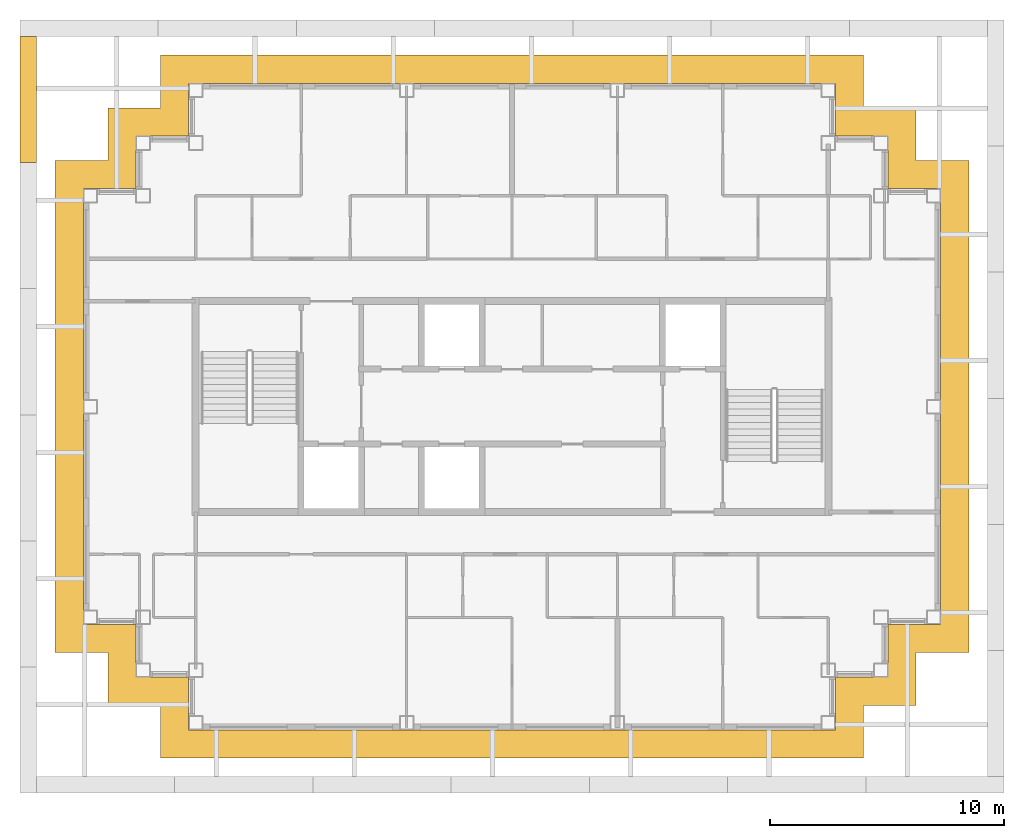
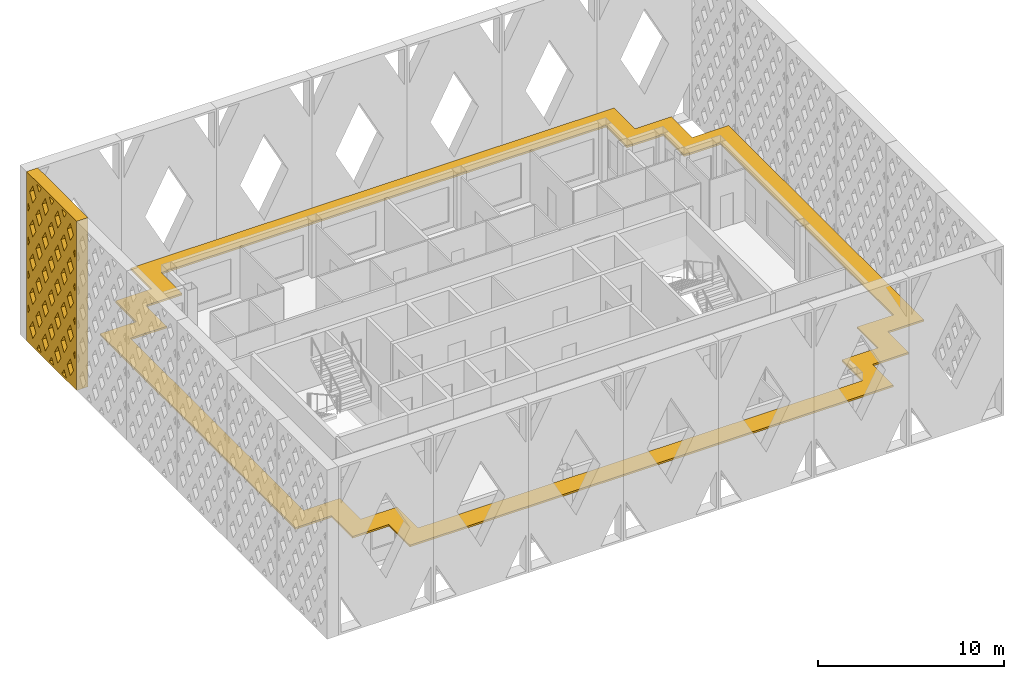
# One storey, part 11 of 13: 2 shading devices.
"""IFC4 building model written with IfcOpenShell, lengths in metres."""

from ifc_helpers import new_model, si_unit, direction, frame, origin, place, context, subcontext, project, spatial, polyline, outline, extrude, material, layer, layer_set, type_object, element, save


model = new_model("IFC4")

# Units and contexts
model_context = context("Model", 3, precision=1e-05, world=origin(), true_north=direction((0.0, 1.0)))
body_context = subcontext(model_context, "Body", "Model", "MODEL_VIEW")
ifc_project = project(units=[si_unit("LENGTHUNIT", "METRE"), si_unit("AREAUNIT", "SQUARE_METRE"), si_unit("VOLUMEUNIT", "CUBIC_METRE"), si_unit("PLANEANGLEUNIT", "RADIAN"), si_unit("MASSUNIT", "GRAM", prefix="KILO")], contexts=[model_context])

# Site, building, storey
site_placement = place(None, origin())
site = spatial("IfcSite", under=ifc_project, at=site_placement, CompositionType="ELEMENT")
building_placement = place(site_placement, origin())
building = spatial("IfcBuilding", under=site, at=building_placement, Name="Caravel Reach Hotel and Residences", CompositionType="ELEMENT")
storey_placement = place(building_placement, frame((0.0, 0.0, 283.39990234375)))
storey = spatial("IfcBuildingStorey", under=building, at=storey_placement, Name="L72", CompositionType="ELEMENT", Elevation=283.39990234375)

# Shading devices
ifc_material_1 = material(Name="Black powder-coated aluminium", Category="aluminium")
shading_device_type_1 = type_object("IfcShadingDeviceType", Name="Diamond lattice screen panel 5383 x 11100", PredefinedType="USERDEFINED", material=ifc_material_1)
shading_device_1_placement = place(storey_placement, frame((11.199951171875, 42.800048828125, 0.0), z_axis=(-1.0, 0.0, 0.0), x_axis=(0.0, -1.0, 0.0)))
element("IfcShadingDevice", 1, at=shading_device_1_placement, inside=storey, type_object=shading_device_type_1, Name="Lattice screen L72-L74 3.1", ObjectType="SCREEN", PredefinedType="USERDEFINED", context=body_context, shape_type="SweptSolid", body=[
    extrude(outline(polyline([(0.0, 0.0), (5.38330078125, 0.0), (5.38330078125, 11.10009765625), (0.0, 11.10009765625), (0.0, 0.0)]), holes=[polyline([(0.338134765625, 2.219970703125), (0.14990234375, 2.530517578125), (0.14990234375, 1.90966796875), (0.338134765625, 2.219970703125)]), polyline([(0.338134765625, 4.43994140625), (0.14990234375, 4.75048828125), (0.14990234375, 4.129638671875), (0.338134765625, 4.43994140625)]), polyline([(0.338134765625, 6.659912109375), (0.14990234375, 6.970458984375), (0.14990234375, 6.349609375), (0.338134765625, 6.659912109375)]), polyline([(0.338134765625, 8.8798828125), (0.14990234375, 9.1904296875), (0.14990234375, 8.569580078125), (0.338134765625, 8.8798828125)]), polyline([(0.6728515625, 1.667724609375), (0.334716796875, 1.110107421875), (0.6728515625, 0.55224609375), (1.010986328125, 1.110107421875), (0.6728515625, 1.667724609375)]), polyline([(0.6728515625, 3.887939453125), (0.334716796875, 3.330078125), (0.6728515625, 2.772216796875), (1.010986328125, 3.330078125), (0.6728515625, 3.887939453125)]), polyline([(0.6728515625, 6.10791015625), (0.334716796875, 5.550048828125), (0.6728515625, 4.9921875), (1.010986328125, 5.550048828125), (0.6728515625, 6.10791015625)]), polyline([(0.6728515625, 8.327880859375), (0.334716796875, 7.77001953125), (0.6728515625, 7.212158203125), (1.010986328125, 7.77001953125), (0.6728515625, 8.327880859375)]), polyline([(0.6728515625, 10.5478515625), (0.334716796875, 9.989990234375), (0.6728515625, 9.43212890625), (1.010986328125, 9.989990234375), (0.6728515625, 10.5478515625)]), polyline([(1.345947265625, 0.557861328125), (1.0986328125, 0.14990234375), (1.593017578125, 0.14990234375), (1.345947265625, 0.557861328125)]), polyline([(1.345947265625, 2.77783203125), (1.007568359375, 2.219970703125), (1.345947265625, 1.662109375), (1.68408203125, 2.219970703125), (1.345947265625, 2.77783203125)]), polyline([(1.345947265625, 4.997802734375), (1.007568359375, 4.43994140625), (1.345947265625, 3.882080078125), (1.68408203125, 4.43994140625), (1.345947265625, 4.997802734375)]), polyline([(1.345947265625, 7.2177734375), (1.007568359375, 6.659912109375), (1.345947265625, 6.10205078125), (1.68408203125, 6.659912109375), (1.345947265625, 7.2177734375)]), polyline([(1.345947265625, 9.437744140625), (1.007568359375, 8.8798828125), (1.345947265625, 8.322265625), (1.68408203125, 8.8798828125), (1.345947265625, 9.437744140625)]), polyline([(1.345947265625, 10.542236328125), (1.593017578125, 10.949951171875), (1.0986328125, 10.949951171875), (1.345947265625, 10.542236328125)]), polyline([(2.018798828125, 1.667724609375), (1.6806640625, 1.110107421875), (2.018798828125, 0.55224609375), (2.35693359375, 1.110107421875), (2.018798828125, 1.667724609375)]), polyline([(2.018798828125, 3.887939453125), (1.6806640625, 3.330078125), (2.018798828125, 2.772216796875), (2.35693359375, 3.330078125), (2.018798828125, 3.887939453125)]), polyline([(2.018798828125, 6.10791015625), (1.6806640625, 5.550048828125), (2.018798828125, 4.9921875), (2.35693359375, 5.550048828125), (2.018798828125, 6.10791015625)]), polyline([(2.018798828125, 8.327880859375), (1.6806640625, 7.77001953125), (2.018798828125, 7.212158203125), (2.35693359375, 7.77001953125), (2.018798828125, 8.327880859375)]), polyline([(2.018798828125, 10.5478515625), (1.6806640625, 9.989990234375), (2.018798828125, 9.43212890625), (2.35693359375, 9.989990234375), (2.018798828125, 10.5478515625)]), polyline([(2.691650390625, 0.557861328125), (2.4443359375, 0.14990234375), (2.93896484375, 0.14990234375), (2.691650390625, 0.557861328125)]), polyline([(2.691650390625, 2.77783203125), (2.353515625, 2.219970703125), (2.691650390625, 1.662109375), (3.02978515625, 2.219970703125), (2.691650390625, 2.77783203125)]), polyline([(2.691650390625, 4.997802734375), (2.353515625, 4.43994140625), (2.691650390625, 3.882080078125), (3.02978515625, 4.43994140625), (2.691650390625, 4.997802734375)]), polyline([(2.691650390625, 7.2177734375), (2.353515625, 6.659912109375), (2.691650390625, 6.10205078125), (3.02978515625, 6.659912109375), (2.691650390625, 7.2177734375)]), polyline([(2.691650390625, 9.437744140625), (2.353515625, 8.8798828125), (2.691650390625, 8.322265625), (3.02978515625, 8.8798828125), (2.691650390625, 9.437744140625)]), polyline([(2.691650390625, 10.542236328125), (2.93896484375, 10.949951171875), (2.4443359375, 10.949951171875), (2.691650390625, 10.542236328125)]), polyline([(3.364501953125, 1.667724609375), (3.0263671875, 1.110107421875), (3.364501953125, 0.55224609375), (3.702880859375, 1.110107421875), (3.364501953125, 1.667724609375)]), polyline([(3.364501953125, 3.887939453125), (3.0263671875, 3.330078125), (3.364501953125, 2.772216796875), (3.702880859375, 3.330078125), (3.364501953125, 3.887939453125)]), polyline([(3.364501953125, 6.10791015625), (3.0263671875, 5.550048828125), (3.364501953125, 4.9921875), (3.702880859375, 5.550048828125), (3.364501953125, 6.10791015625)]), polyline([(3.364501953125, 8.327880859375), (3.0263671875, 7.77001953125), (3.364501953125, 7.212158203125), (3.702880859375, 7.77001953125), (3.364501953125, 8.327880859375)]), polyline([(3.364501953125, 10.5478515625), (3.0263671875, 9.989990234375), (3.364501953125, 9.43212890625), (3.702880859375, 9.989990234375), (3.364501953125, 10.5478515625)]), polyline([(4.03759765625, 0.557861328125), (3.790283203125, 0.14990234375), (4.28466796875, 0.14990234375), (4.03759765625, 0.557861328125)]), polyline([(4.03759765625, 2.77783203125), (3.69921875, 2.219970703125), (4.03759765625, 1.662109375), (4.375732421875, 2.219970703125), (4.03759765625, 2.77783203125)]), polyline([(4.03759765625, 4.997802734375), (3.69921875, 4.43994140625), (4.03759765625, 3.882080078125), (4.375732421875, 4.43994140625), (4.03759765625, 4.997802734375)]), polyline([(4.03759765625, 7.2177734375), (3.69921875, 6.659912109375), (4.03759765625, 6.10205078125), (4.375732421875, 6.659912109375), (4.03759765625, 7.2177734375)]), polyline([(4.03759765625, 9.437744140625), (3.69921875, 8.8798828125), (4.03759765625, 8.322265625), (4.375732421875, 8.8798828125), (4.03759765625, 9.437744140625)]), polyline([(4.03759765625, 10.542236328125), (4.28466796875, 10.949951171875), (3.790283203125, 10.949951171875), (4.03759765625, 10.542236328125)]), polyline([(4.71044921875, 1.667724609375), (4.372314453125, 1.110107421875), (4.71044921875, 0.55224609375), (5.048583984375, 1.110107421875), (4.71044921875, 1.667724609375)]), polyline([(4.71044921875, 3.887939453125), (4.372314453125, 3.330078125), (4.71044921875, 2.772216796875), (5.048583984375, 3.330078125), (4.71044921875, 3.887939453125)]), polyline([(4.71044921875, 6.10791015625), (4.372314453125, 5.550048828125), (4.71044921875, 4.9921875), (5.048583984375, 5.550048828125), (4.71044921875, 6.10791015625)]), polyline([(4.71044921875, 8.327880859375), (4.372314453125, 7.77001953125), (4.71044921875, 7.212158203125), (5.048583984375, 7.77001953125), (4.71044921875, 8.327880859375)]), polyline([(4.71044921875, 10.5478515625), (4.372314453125, 9.989990234375), (4.71044921875, 9.43212890625), (5.048583984375, 9.989990234375), (4.71044921875, 10.5478515625)]), polyline([(5.045166015625, 2.219970703125), (5.2333984375, 1.90966796875), (5.2333984375, 2.530517578125), (5.045166015625, 2.219970703125)]), polyline([(5.045166015625, 4.43994140625), (5.2333984375, 4.129638671875), (5.2333984375, 4.75048828125), (5.045166015625, 4.43994140625)]), polyline([(5.045166015625, 6.659912109375), (5.2333984375, 6.349609375), (5.2333984375, 6.970458984375), (5.045166015625, 6.659912109375)]), polyline([(5.045166015625, 8.8798828125), (5.2333984375, 8.569580078125), (5.2333984375, 9.1904296875), (5.045166015625, 8.8798828125)])]), origin(), (0.0, 0.0, 1.0), 0.699951171875),
])
ifc_material_2 = material(Name="Black powder-coated aluminium", Category="aluminium")
ifc_layer = layer(ifc_material_2, 0.1201171875)
ifc_layer_set = layer_set([ifc_layer], Name="SS1 Sunshade band 1200")
shading_device_type_2 = type_object("IfcShadingDeviceType", Name="SS1 Sunshade band 1200", PredefinedType="USERDEFINED", material=ifc_layer_set)
shading_device_2_placement = place(storey_placement, frame((0.0, 0.0, 3.0400390625)))
element("IfcShadingDevice", 2, at=shading_device_2_placement, inside=storey, type_object=shading_device_type_2, Name="Sunshade L72 1", ObjectType="SUNSHADE", PredefinedType="USERDEFINED", context=body_context, shape_type="SweptSolid", body=[
    extrude(outline(polyline([(16.5, 12.0), (46.5, 12.0), (46.5, 14.25), (48.75, 14.25), (48.75, 16.5), (51.0, 16.5), (51.0, 37.5), (48.75, 37.5), (48.75, 39.75), (46.5, 39.75), (46.5, 42.0), (16.5, 42.0), (16.5, 39.75), (14.25, 39.75), (14.25, 37.5), (12.0, 37.5), (12.0, 16.5), (14.25, 16.5), (14.25, 14.25), (16.5, 14.25), (16.5, 12.0)]), holes=[polyline([(45.300048828125, 15.449951171875), (45.300048828125, 13.199951171875), (17.699951171875, 13.199951171875), (17.699951171875, 15.449951171875), (15.449951171875, 15.449951171875), (15.449951171875, 17.699951171875), (13.199951171875, 17.699951171875), (13.199951171875, 36.300048828125), (15.449951171875, 36.300048828125), (15.449951171875, 38.550048828125), (17.699951171875, 38.550048828125), (17.699951171875, 40.800048828125), (45.300048828125, 40.800048828125), (45.300048828125, 38.550048828125), (47.550048828125, 38.550048828125), (47.550048828125, 36.300048828125), (49.800048828125, 36.300048828125), (49.800048828125, 17.699951171875), (47.550048828125, 17.699951171875), (47.550048828125, 15.449951171875), (45.300048828125, 15.449951171875)])]), origin(), (0.0, 0.0, 1.0), 0.1201171875),
])

save(model, "model.ifc")
